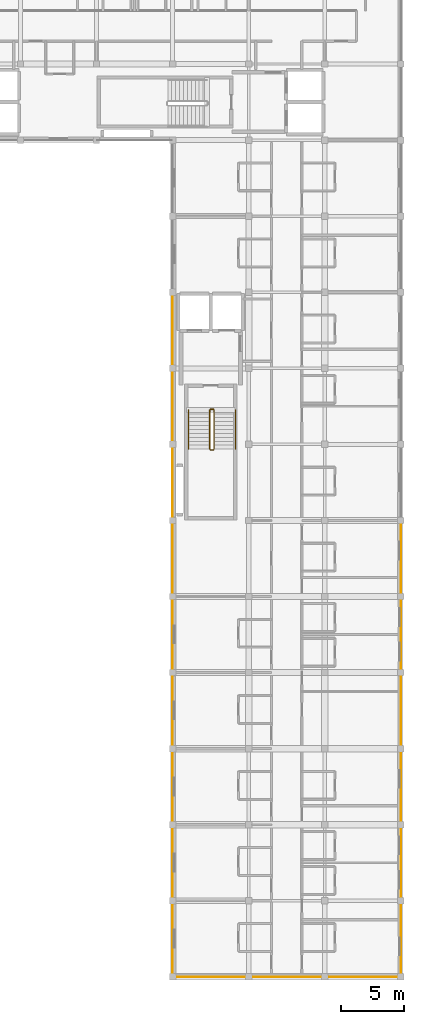
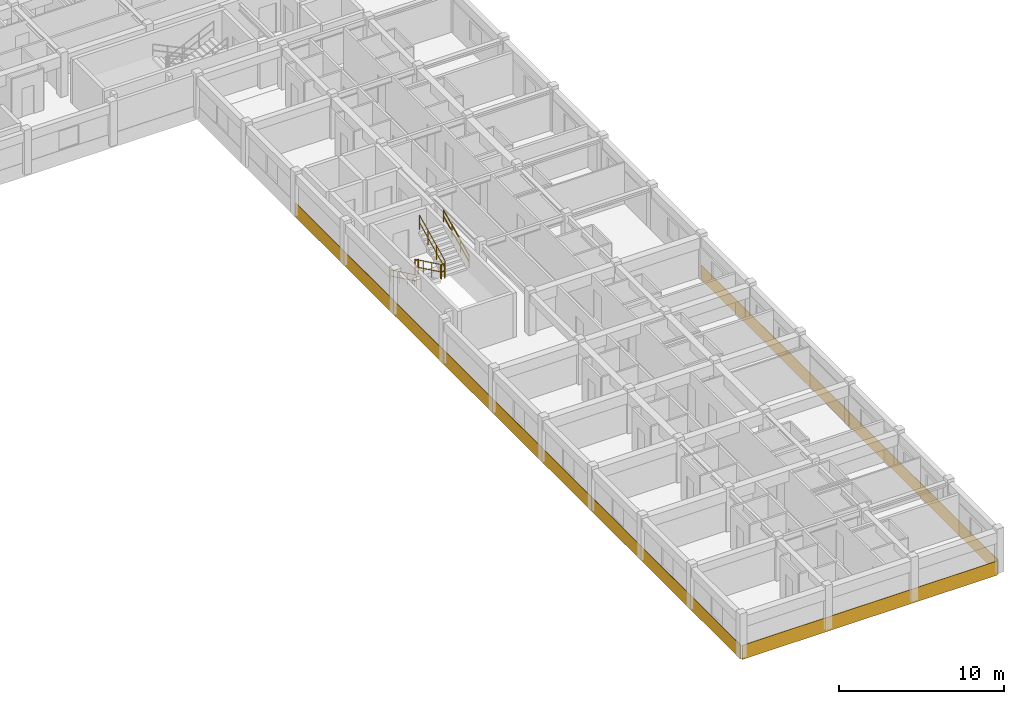
# One storey, part 12 of 15: 6 coverings, 6 railings.
"""IFC4 building model written with IfcOpenShell, lengths in metres."""

from ifc_helpers import new_model, si_unit, direction, frame, origin, origin_2d, place, context, subcontext, project, spatial, polyline, circle, outline, extrude, material, layer, layer_set, type_object, element, save


model = new_model("IFC4")

# Units and contexts
model_context = context("Model", 3, precision=1e-05, world=origin(), true_north=direction((0.0, 1.0)))
body_context = subcontext(model_context, "Body", "Model", "MODEL_VIEW")
ifc_project = project(units=[si_unit("LENGTHUNIT", "METRE"), si_unit("AREAUNIT", "SQUARE_METRE"), si_unit("VOLUMEUNIT", "CUBIC_METRE"), si_unit("PLANEANGLEUNIT", "RADIAN"), si_unit("MASSUNIT", "GRAM", prefix="KILO"), si_unit("THERMODYNAMICTEMPERATUREUNIT", "KELVIN"), si_unit("POWERUNIT", "WATT")], contexts=[model_context])

# Site, building, storey
site_placement = place(None, origin())
site = spatial("IfcSite", under=ifc_project, at=site_placement, CompositionType="ELEMENT")
building_placement = place(site_placement, origin())
building = spatial("IfcBuilding", under=site, at=building_placement, Name="Phaisarnlok Congress Hotel", CompositionType="ELEMENT")
storey_placement = place(building_placement, frame((0.0, 0.0, 38.10009765625)))
storey = spatial("IfcBuildingStorey", under=building, at=storey_placement, Name="L09", CompositionType="ELEMENT", Elevation=38.10009765625)

# Coverings
ifc_material_1 = material(Name="Anodised Silver Aluminium Alloy 6063-T6", Category="aluminium")
ifc_layer = layer(ifc_material_1, 0.031982421875, Name="Anodised Silver Aluminium Alloy 6063-T6")
ifc_layer_set = layer_set([ifc_layer], Name="Anodised Silver Aluminium Alloy 6063-T6")
covering_type = type_object("IfcCoveringType", Name="COV-SPAND-ALU", PredefinedType="CLADDING", material=ifc_layer_set)
for number, where, z_axis, x_axis, name in (
    (1, (179.9951171875, 42.06005859375, -0.280029296875), (1.0, 0.0, 0.0), (0.0, 1.0, 0.0), "Swiss minimalist anodised silver rainscreen band CL-02 (L09 E)"),
    (2, (179.9951171875, 60.06005859375, -0.280029296875), (1.0, 0.0, 0.0), (0.0, 1.0, 0.0), "Swiss minimalist anodised silver rainscreen band CL-02 (L09 E)"),
    (3, (162.0048828125, 60.06005859375, -0.280029296875), (-1.0, 0.0, 0.0), (0.0, -1.0, 0.0), "Swiss minimalist anodised silver rainscreen band CL-02 (L09 W)"),
    (4, (162.0048828125, 78.06005859375, -0.280029296875), (-1.0, 0.0, 0.0), (0.0, -1.0, 0.0), "Swiss minimalist anodised silver rainscreen band CL-02 (L09 W)"),
    (5, (162.0048828125, 96.06005859375, -0.280029296875), (-1.0, 0.0, 0.0), (0.0, -1.0, 0.0), "Swiss minimalist anodised silver rainscreen band CL-02 (L09 W)"),
):
    element("IfcCovering", number, at=place(storey_placement, frame(where, z_axis=z_axis, x_axis=x_axis)), inside=storey, type_object=covering_type, Name=name, PredefinedType="CLADDING", context=body_context, shape_type="SweptSolid", body=[
        extrude(outline(polyline([(0.0, 0.0), (18.0, 0.0), (18.0, 1.050048828125), (0.0, 1.050048828125), (0.0, 0.0)])), origin(), (0.0, 0.0, 1.0), 0.031982421875),
    ])
covering_placement = place(storey_placement, frame((162.06005859375, 42.0048828125, -0.280029296875), z_axis=(0.0, -1.0, 0.0), x_axis=(1.0, 0.0, 0.0)))
element("IfcCovering", 6, at=covering_placement, inside=storey, type_object=covering_type, Name="Swiss minimalist anodised silver rainscreen band CL-02 (L09 SG)", PredefinedType="CLADDING", context=body_context, shape_type="SweptSolid", body=[
    extrude(outline(polyline([(0.0, 0.0), (17.8798828125, 0.0), (17.8798828125, 1.050048828125), (0.0, 1.050048828125), (0.0, 0.0)])), origin(), (0.0, 0.0, 1.0), 0.031982421875),
])

# Railings
ifc_material_2 = material(Name="Painted Galvanised Steel S275", Category="steel")
railing_type_1 = type_object("IfcRailingType", Name="RLG-STR-GUARD", PredefinedType="BALUSTRADE", material=ifc_material_2)
railing_1_placement = place(storey_placement, frame((164.929931640625, 86.719970703125, 0.14990234375)))
element("IfcRailing", 7, at=railing_1_placement, inside=storey, type_object=railing_type_1, Name="L09 ST-09 stair guard 1", PredefinedType="BALUSTRADE", context=body_context, shape_type="SweptSolid", body=[
    extrude(circle(Radius=0.02392578125, at=origin_2d()), frame((0.0, 0.0, 1.076171875), z_axis=(0.0, -0.900151181449, 0.435577605641), x_axis=(1.0, 0.0, 0.0)), (0.0, 0.0, 1.0), 3.443603515625),
    extrude(circle(Radius=0.02392578125, at=origin_2d()), frame((0.0, 0.0, 0.52587890625), z_axis=(0.0, -0.900151181449, 0.435577605641), x_axis=(1.0, 0.0, 0.0)), (0.0, 0.0, 1.0), 3.443603515625),
    extrude(circle(Radius=0.02099609375, at=origin_2d()), origin(), (0.0, 0.0, 1.0), 1.052001953125),
    extrude(circle(Radius=0.02099609375, at=origin_2d()), frame((0.0, -1.033203125, 0.5)), (0.0, 0.0, 1.0), 1.052001953125),
    extrude(circle(Radius=0.02099609375, at=origin_2d()), frame((0.0, -2.066650390625, 1.0)), (0.0, 0.0, 1.0), 1.052001953125),
    extrude(circle(Radius=0.02099609375, at=origin_2d()), frame((0.0, -3.099853515625, 1.5)), (0.0, 0.0, 1.0), 1.052001953125),
])
railing_2_placement = place(storey_placement, frame((164.97998046875, 83.570068359375, 1.64990234375)))
element("IfcRailing", 8, at=railing_2_placement, inside=storey, type_object=railing_type_1, Name="L09 ST-09 stair guard 2", PredefinedType="BALUSTRADE", context=body_context, shape_type="SweptSolid", body=[
    extrude(circle(Radius=0.02392578125, at=origin_2d()), frame((0.0, 0.0, 1.076171875), z_axis=(1.0, 0.0, 0.0), x_axis=(0.0, 1.0, 0.0)), (0.0, 0.0, 1.0), 0.239990234375),
    extrude(circle(Radius=0.02392578125, at=origin_2d()), frame((0.0, 0.0, 0.52587890625), z_axis=(1.0, 0.0, 0.0), x_axis=(0.0, 1.0, 0.0)), (0.0, 0.0, 1.0), 0.239990234375),
    extrude(circle(Radius=0.02099609375, at=origin_2d()), origin(), (0.0, 0.0, 1.0), 1.052001953125),
    extrude(circle(Radius=0.02099609375, at=origin_2d()), frame((0.239990234375, 0.0, 0.0)), (0.0, 0.0, 1.0), 1.052001953125),
])
railing_3_placement = place(storey_placement, frame((165.27001953125, 83.6201171875, 1.7998046875)))
element("IfcRailing", 9, at=railing_3_placement, inside=storey, type_object=railing_type_1, Name="L09 ST-09 stair guard 3", PredefinedType="BALUSTRADE", context=body_context, shape_type="SweptSolid", body=[
    extrude(circle(Radius=0.02392578125, at=origin_2d()), frame((0.0, 0.0, 1.076171875), z_axis=(0.0, 0.900151181449, 0.435577605641), x_axis=(-1.0, 0.0, 0.0)), (0.0, 0.0, 1.0), 3.443603515625),
    extrude(circle(Radius=0.02392578125, at=origin_2d()), frame((0.0, 0.0, 0.52587890625), z_axis=(0.0, 0.900151181449, 0.435577605641), x_axis=(-1.0, 0.0, 0.0)), (0.0, 0.0, 1.0), 3.443603515625),
    extrude(circle(Radius=0.02099609375, at=origin_2d()), origin(), (0.0, 0.0, 1.0), 1.052001953125),
    extrude(circle(Radius=0.02099609375, at=origin_2d()), frame((0.0, 1.033203125, 0.5)), (0.0, 0.0, 1.0), 1.052001953125),
    extrude(circle(Radius=0.02099609375, at=origin_2d()), frame((0.0, 2.066650390625, 1.0)), (0.0, 0.0, 1.0), 1.052001953125),
    extrude(circle(Radius=0.02099609375, at=origin_2d()), frame((0.0, 3.099853515625, 1.5)), (0.0, 0.0, 1.0), 1.052001953125),
])
railing_4_placement = place(storey_placement, frame((164.97998046875, 86.77001953125, 0.0)))
element("IfcRailing", 10, at=railing_4_placement, inside=storey, type_object=railing_type_1, Name="L09 ST-09 stair guard 4", PredefinedType="BALUSTRADE", context=body_context, shape_type="SweptSolid", body=[
    extrude(circle(Radius=0.02392578125, at=origin_2d()), frame((0.0, 0.0, 1.076171875), z_axis=(1.0, 0.0, 0.0), x_axis=(0.0, 1.0, 0.0)), (0.0, 0.0, 1.0), 0.239990234375),
    extrude(circle(Radius=0.02392578125, at=origin_2d()), frame((0.0, 0.0, 0.52587890625), z_axis=(1.0, 0.0, 0.0), x_axis=(0.0, 1.0, 0.0)), (0.0, 0.0, 1.0), 0.239990234375),
    extrude(circle(Radius=0.02099609375, at=origin_2d()), origin(), (0.0, 0.0, 1.0), 1.052001953125),
    extrude(circle(Radius=0.02099609375, at=origin_2d()), frame((0.239990234375, 0.0, 0.0)), (0.0, 0.0, 1.0), 1.052001953125),
])
ifc_material_3 = material(Name="Brushed Stainless Steel Grade 304", Category="steel")
railing_type_2 = type_object("IfcRailingType", Name="RLG-STR-HRAIL", PredefinedType="HANDRAIL", material=ifc_material_3)
railing_5_placement = place(storey_placement, frame((163.25, 86.719970703125, 0.14990234375)))
element("IfcRailing", 11, at=railing_5_placement, inside=storey, type_object=railing_type_2, Name="L09 ST-09 stair handrail 1", PredefinedType="HANDRAIL", context=body_context, shape_type="SweptSolid", body=[
    extrude(circle(Radius=0.02392578125, at=origin_2d()), frame((0.0, 0.0, 0.8759765625), z_axis=(0.0, -0.900151181449, 0.435577605641), x_axis=(1.0, 0.0, 0.0)), (0.0, 0.0, 1.0), 3.443603515625),
    extrude(circle(Radius=0.02392578125, at=origin_2d()), frame((0.0, 0.0, 0.42578125), z_axis=(0.0, -0.900151181449, 0.435577605641), x_axis=(1.0, 0.0, 0.0)), (0.0, 0.0, 1.0), 3.443603515625),
    extrude(circle(Radius=0.02099609375, at=origin_2d()), origin(), (0.0, 0.0, 1.0), 0.851806640625),
    extrude(circle(Radius=0.02099609375, at=origin_2d()), frame((0.0, -1.033203125, 0.5)), (0.0, 0.0, 1.0), 0.851806640625),
    extrude(circle(Radius=0.02099609375, at=origin_2d()), frame((0.0, -2.066650390625, 1.0)), (0.0, 0.0, 1.0), 0.851806640625),
    extrude(circle(Radius=0.02099609375, at=origin_2d()), frame((0.0, -3.099853515625, 1.5)), (0.0, 0.0, 1.0), 0.851806640625),
])
railing_6_placement = place(storey_placement, frame((166.949951171875, 83.6201171875, 1.7998046875)))
element("IfcRailing", 12, at=railing_6_placement, inside=storey, type_object=railing_type_2, Name="L09 ST-09 stair handrail 2", PredefinedType="HANDRAIL", context=body_context, shape_type="SweptSolid", body=[
    extrude(circle(Radius=0.02392578125, at=origin_2d()), frame((0.0, 0.0, 0.8759765625), z_axis=(0.0, 0.900151181449, 0.435577605641), x_axis=(-1.0, 0.0, 0.0)), (0.0, 0.0, 1.0), 3.443603515625),
    extrude(circle(Radius=0.02392578125, at=origin_2d()), frame((0.0, 0.0, 0.42578125), z_axis=(0.0, 0.900151181449, 0.435577605641), x_axis=(-1.0, 0.0, 0.0)), (0.0, 0.0, 1.0), 3.443603515625),
    extrude(circle(Radius=0.02099609375, at=origin_2d()), origin(), (0.0, 0.0, 1.0), 0.851806640625),
    extrude(circle(Radius=0.02099609375, at=origin_2d()), frame((0.0, 1.033203125, 0.5)), (0.0, 0.0, 1.0), 0.851806640625),
    extrude(circle(Radius=0.02099609375, at=origin_2d()), frame((0.0, 2.066650390625, 1.0)), (0.0, 0.0, 1.0), 0.851806640625),
    extrude(circle(Radius=0.02099609375, at=origin_2d()), frame((0.0, 3.099853515625, 1.5)), (0.0, 0.0, 1.0), 0.851806640625),
])

save(model, "model.ifc")
